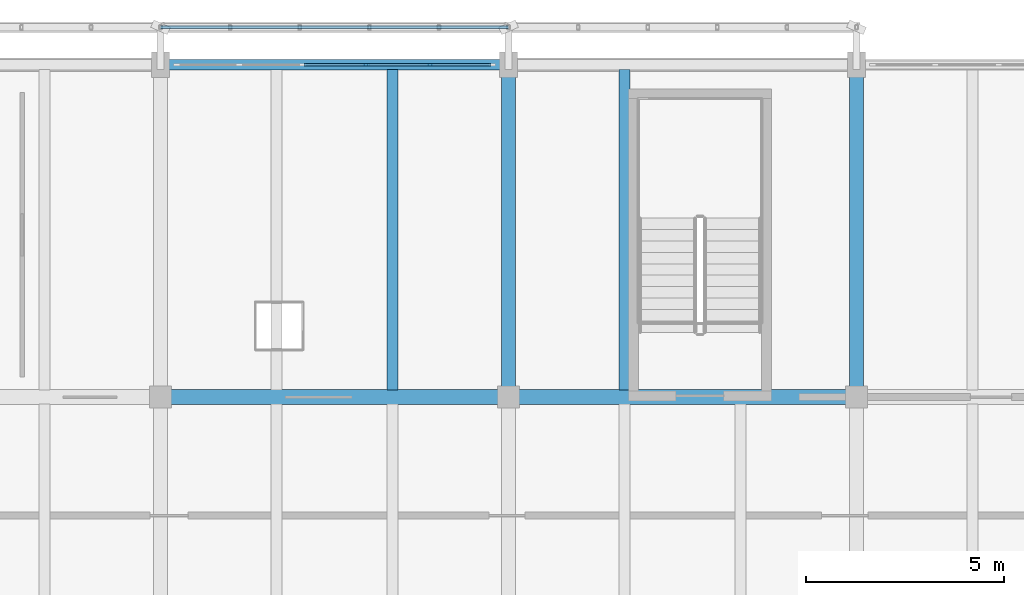
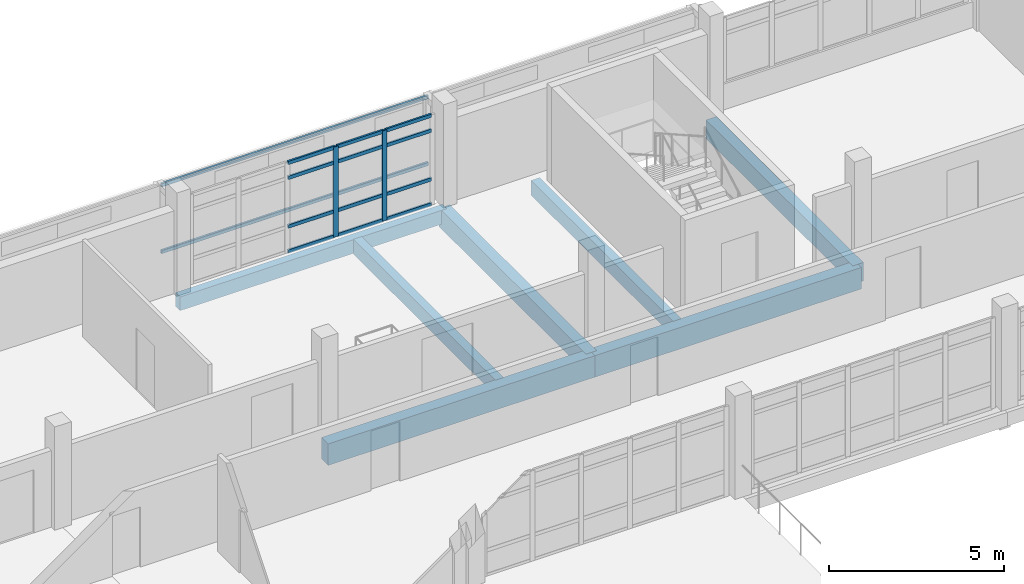
# One storey, part 17 of 30: 16 members, 7 beams, 1 element without a shape of its own.
"""IFC4 building model written with IfcOpenShell, lengths in metres."""

import ifcopenshell
import ifcopenshell.guid

model = None  # the IFC model being written
_history = None  # IfcOwnerHistory: only IFC2X3 demands one
_inside = {}  # id of a spatial element -> (the spatial element, [elements in it])
_under = {}  # id of a project, library or spatial element -> (it, [spatial elements below it])
_declared = {}  # id of a project -> (the project, [libraries it declares])
_typed = {}  # id of a type object -> (the type object, [elements of that type])
_made_of = {}  # id of a material, layer set ... -> (it, [elements and type objects made of it])


def new_model(schema):
    """Start an empty IFC model of exactly this schema.

    Asked for "IFC4X3", IfcOpenShell would pick the latest addendum, in which some entities
    have other attributes; the version numbers below select the first issue.
    IFC2X3 requires an IfcOwnerHistory on every rooted entity: one is made here for all.
    """
    global model, _history
    if schema == "IFC4X3":
        model = ifcopenshell.file(schema_version=(4, 3, 0, 0))
    else:
        model = ifcopenshell.file(schema=schema)
    _inside.clear()
    _under.clear()
    _declared.clear()
    _typed.clear()
    _made_of.clear()
    _history = None
    if model.schema == "IFC2X3":
        org = make("IfcOrganization", Name="unknown")
        user = make(
            "IfcPersonAndOrganization",
            ThePerson=make("IfcPerson", FamilyName="unknown"),
            TheOrganization=org,
        )
        app = make(
            "IfcApplication",
            ApplicationDeveloper=org,
            Version="unknown",
            ApplicationFullName="unknown",
            ApplicationIdentifier="unknown",
        )
        _history = make(
            "IfcOwnerHistory",
            OwningUser=user,
            OwningApplication=app,
            ChangeAction="ADDED",
            CreationDate=0,
        )
    return model


def make(cls, **values):
    """One entity of the class cls with the attributes given. An attribute that is None is left unset."""
    return model.create_entity(
        cls, **{name: value for name, value in values.items() if value is not None}
    )


def rooted(cls, **values):
    """An entity with a GlobalId (a new one), such as an element, a storey or a relation."""
    return make(cls, GlobalId=ifcopenshell.guid.new(), OwnerHistory=_history, **values)


def si_unit(unit_type, name, prefix=None):
    """IfcSIUnit, for example si_unit("LENGTHUNIT", "METRE", prefix="MILLI")."""
    return make("IfcSIUnit", UnitType=unit_type, Prefix=prefix, Name=name)


def assignment(units):
    """IfcUnitAssignment: the units of a project."""
    return None if units is None else make("IfcUnitAssignment", Units=units)


def point(xyz):
    """IfcCartesianPoint."""
    return None if xyz is None else make("IfcCartesianPoint", Coordinates=xyz)


def direction(xyz):
    """IfcDirection."""
    return None if xyz is None else make("IfcDirection", DirectionRatios=xyz)


def frame(location, z_axis=None, x_axis=None):
    """IfcAxis2Placement3D, a coordinate frame: its origin and axes. An axis left out is left unset."""
    return make(
        "IfcAxis2Placement3D",
        Location=point(location),
        Axis=direction(z_axis),
        RefDirection=direction(x_axis),
    )


def frame_2d(location, x_axis=None):
    """IfcAxis2Placement2D, a coordinate frame in the plane: its origin and x axis."""
    return make(
        "IfcAxis2Placement2D", Location=point(location), RefDirection=direction(x_axis)
    )


def origin():
    """The frame at (0, 0, 0) with its axes left unset."""
    return frame((0.0, 0.0, 0.0))


def origin_2d():
    """The frame at (0, 0) in the plane with its x axis left unset."""
    return frame_2d((0.0, 0.0))


def place(relative_to, where):
    """IfcLocalPlacement: puts the frame where relative to a parent placement (None: the world)."""
    return make(
        "IfcLocalPlacement", PlacementRelTo=relative_to, RelativePlacement=where
    )


def context(
    kind, dimensions, precision=None, world=None, true_north=None, identifier=None
):
    """IfcGeometricRepresentationContext, for example the 3D "Model" context."""
    return make(
        "IfcGeometricRepresentationContext",
        ContextIdentifier=identifier,
        ContextType=kind,
        CoordinateSpaceDimension=dimensions,
        Precision=precision,
        WorldCoordinateSystem=world,
        TrueNorth=true_north,
    )


def subcontext(parent, identifier, kind, view, scale=None):
    """IfcGeometricRepresentationSubContext, for example "Body" below "Model"."""
    return make(
        "IfcGeometricRepresentationSubContext",
        ContextIdentifier=identifier,
        ContextType=kind,
        ParentContext=parent,
        TargetScale=scale,
        TargetView=view,
    )


def project(units=None, contexts=None):
    """IfcProject with its units and contexts."""
    return rooted(
        "IfcProject",
        Name="project",
        RepresentationContexts=contexts,
        UnitsInContext=assignment(units),
    )


def spatial(cls, under=None, at=None, **own):
    """A site, building, storey or space (cls), placed at a placement, below another one or the project."""
    s = rooted(cls, ObjectPlacement=at, **own)
    if under is not None:
        _under.setdefault(under.id(), (under, []))[1].append(s)
    return s


def profile(cls, at=None, kind="AREA", **sizes):
    """A parametric profile (cls). Its sizes go by their IFC names, for example OverallWidth=200.0."""
    return make(cls, ProfileType=kind, Position=at, **sizes)


def rectangle(**sizes):
    """IfcRectangleProfileDef."""
    return profile("IfcRectangleProfileDef", **sizes)


def hollow_rectangle(**sizes):
    """IfcRectangleHollowProfileDef."""
    return profile("IfcRectangleHollowProfileDef", **sizes)


def extrude(swept, where, along, depth):
    """IfcExtrudedAreaSolid: the profile swept, set in the frame where, extruded along a direction by depth."""
    return make(
        "IfcExtrudedAreaSolid",
        SweptArea=swept,
        Position=where,
        ExtrudedDirection=direction(along),
        Depth=depth,
    )


def shape(context_of_items, identifier, shape_type, items):
    """IfcShapeRepresentation: the items that make up one representation, for example the "Body"."""
    return make(
        "IfcShapeRepresentation",
        ContextOfItems=context_of_items,
        RepresentationIdentifier=identifier,
        RepresentationType=shape_type,
        Items=items,
    )


def material(Name=None, Category=None):
    """IfcMaterial."""
    return make("IfcMaterial", Name=Name, Category=Category)


def material_profile(
    of_material, cross_section, Name=None, Category=None, Priority=None
):
    """IfcMaterialProfile: a cross section and its material."""
    return make(
        "IfcMaterialProfile",
        Name=Name,
        Material=of_material,
        Profile=cross_section,
        Priority=Priority,
        Category=Category,
    )


def profile_set(profiles, Name=None, composite=None):
    """IfcMaterialProfileSet."""
    return make(
        "IfcMaterialProfileSet",
        Name=Name,
        MaterialProfiles=profiles,
        CompositeProfile=composite,
    )


def made_of(thing, what):
    """Note that an element or type object is made of a material, layer set ...; save() writes the relation."""
    if what is not None:
        _made_of.setdefault(what.id(), (what, []))[1].append(thing)
    return thing


def type_object(cls, material=None, **own):
    """A type object (cls), such as IfcWallType, which elements share."""
    return made_of(rooted(cls, **own), material)


def element(
    cls,
    number,
    at=None,
    inside=None,
    cuts=None,
    type_object=None,
    material=None,
    context=None,
    identifier="Body",
    shape_type=None,
    held_by="IfcProductDefinitionShape",
    body=None,
    shapes=None,
    **own,
):
    """One element of the class cls, such as IfcWall. Its Tag is "e" and its number.

    at: its placement. inside: the storey or other place that contains it. cuts: it is an
    opening in that element (IfcRelVoidsElement). A single representation is given by context,
    identifier, shape_type and body (its items); several are given by shapes. held_by: the class
    of the entity that holds the representations. save() writes the other relations.
    """
    e = rooted(cls, Tag="e%d" % number, ObjectPlacement=at, **own)
    if body is not None:
        shapes = [shape(context, identifier, shape_type, body)]
    if shapes is not None:
        e.Representation = make(held_by, Representations=shapes)
    if inside is not None:
        _inside.setdefault(inside.id(), (inside, []))[1].append(e)
    if cuts is not None:
        rooted(
            "IfcRelVoidsElement", RelatingBuildingElement=cuts, RelatedOpeningElement=e
        )
    if type_object is not None:
        _typed.setdefault(type_object.id(), (type_object, []))[1].append(e)
    return made_of(e, material)


def aggregate(whole, parts):
    """IfcRelAggregates: a whole, such as a stair, and the parts it consists of."""
    return rooted("IfcRelAggregates", RelatingObject=whole, RelatedObjects=parts)


def save(model, path):
    """Write the relations noted so far, then the file.

    IfcRelAggregates (storeys below a building ...), IfcRelContainedInSpatialStructure (elements
    in a storey), IfcRelDefinesByType, IfcRelAssociatesMaterial and IfcRelDeclares: one each for
    every whole, place, type object, material and project.
    """
    for whole, parts in _under.values():
        aggregate(whole, parts)
    for where, things in _inside.values():
        rooted(
            "IfcRelContainedInSpatialStructure",
            RelatedElements=things,
            RelatingStructure=where,
        )
    for kind, things in _typed.values():
        rooted("IfcRelDefinesByType", RelatedObjects=things, RelatingType=kind)
    for what, things in _made_of.values():
        rooted("IfcRelAssociatesMaterial", RelatedObjects=things, RelatingMaterial=what)
    for by, libraries in _declared.values():
        rooted("IfcRelDeclares", RelatingContext=by, RelatedDefinitions=libraries)
    model.write(path)


model = new_model("IFC4")

# Units and contexts
model_context = context("Model", 3, precision=1e-05, world=origin(), true_north=direction((0.0, 1.0)))
body_context = subcontext(model_context, "Body", "Model", "MODEL_VIEW")
ifc_project = project(units=[si_unit("LENGTHUNIT", "METRE"), si_unit("AREAUNIT", "SQUARE_METRE"), si_unit("VOLUMEUNIT", "CUBIC_METRE"), si_unit("PLANEANGLEUNIT", "RADIAN"), si_unit("MASSUNIT", "GRAM", prefix="KILO")], contexts=[model_context])

# Site, building, storey
site_placement = place(None, origin())
site = spatial("IfcSite", under=ifc_project, at=site_placement, CompositionType="ELEMENT")
building_placement = place(site_placement, origin())
building = spatial("IfcBuilding", under=site, at=building_placement, Name="Cinderway Yard Community Centre", CompositionType="ELEMENT")
storey_placement = place(building_placement, frame((0.0, 0.0, 16.5)))
storey = spatial("IfcBuildingStorey", under=building, at=storey_placement, Name="L04", CompositionType="ELEMENT", Elevation=16.5)

# Curtain wall, members
ifc_material_1 = material(Name="Aluminium 6063-T6", Category="aluminium")
curtain_wall_type = type_object("IfcCurtainWallType", Name="ENV-CW-TYPE-33", PredefinedType="USERDEFINED", material=ifc_material_1)
curtain_wall_placement = place(storey_placement, origin())
curtain_wall = element("IfcCurtainWall", 1, at=curtain_wall_placement, inside=storey, type_object=curtain_wall_type, Name="V4 Street Curtain Wall ENV-CW-L04-ST-0183", ObjectType="GLAZED CURTAIN WALL", PredefinedType="USERDEFINED")
ifc_material_profile_1 = material_profile(ifc_material_1, rectangle(XDim=0.06005859375, YDim=0.159912109375, at=origin_2d()), Name="Aluminium 6063-T6")
ifc_profile_set_1 = profile_set([ifc_material_profile_1], Name="Aluminium 6063-T6")
member_type_1 = type_object("IfcMemberType", Name="ENV-CW-MULL-150", PredefinedType="MULLION", material=ifc_profile_set_1)
member_1_placement = place(storey_placement, frame((106.803955078125, 115.199951171875, 0.0), z_axis=(0.0, 0.0, 1.0), x_axis=(0.0, 1.0, 0.0)))
member_1 = element("IfcMember", 2, at=member_1_placement, type_object=member_type_1, Name="CW-33 mullion 4", PredefinedType="MULLION", context=body_context, shape_type="SweptSolid", body=[
    extrude(rectangle(XDim=0.06005859375, YDim=0.159912109375, at=origin_2d()), origin(), (0.0, 0.0, 1.0), 3.14990234375),
])
member_2_placement = place(storey_placement, frame((108.412109375, 115.199951171875, 0.0), z_axis=(0.0, 0.0, 1.0), x_axis=(0.0, 1.0, 0.0)))
member_2 = element("IfcMember", 3, at=member_2_placement, type_object=member_type_1, Name="CW-33 mullion 5", PredefinedType="MULLION", context=body_context, shape_type="SweptSolid", body=[
    extrude(rectangle(XDim=0.06005859375, YDim=0.159912109375, at=origin_2d()), origin(), (0.0, 0.0, 1.0), 3.14990234375),
])
ifc_material_profile_2 = material_profile(ifc_material_1, rectangle(XDim=0.06005859375, YDim=0.1201171875, at=origin_2d()), Name="Aluminium 6063-T6")
ifc_profile_set_2 = profile_set([ifc_material_profile_2], Name="Aluminium 6063-T6")
member_type_2 = type_object("IfcMemberType", Name="ENV-CW-TRAN-110", PredefinedType="USERDEFINED", material=ifc_profile_set_2)
member_3_placement = place(storey_placement, frame((105.22607421875, 115.199951171875, 0.030029296875), z_axis=(1.0, 0.0, 0.0), x_axis=(0.0, 1.0, 0.0)))
member_3 = element("IfcMember", 4, at=member_3_placement, type_object=member_type_2, Name="CW-33 transom 3.1", ObjectType="TRANSOM", PredefinedType="USERDEFINED", context=body_context, shape_type="SweptSolid", body=[
    extrude(rectangle(XDim=0.06005859375, YDim=0.1201171875, at=origin_2d()), origin(), (0.0, 0.0, 1.0), 1.5478515625),
])
member_4_placement = place(storey_placement, frame((105.22607421875, 115.199951171875, 0.89990234375), z_axis=(1.0, 0.0, 0.0), x_axis=(0.0, 1.0, 0.0)))
member_4 = element("IfcMember", 5, at=member_4_placement, type_object=member_type_2, Name="CW-33 transom 3.2", ObjectType="TRANSOM", PredefinedType="USERDEFINED", context=body_context, shape_type="SweptSolid", body=[
    extrude(rectangle(XDim=0.06005859375, YDim=0.1201171875, at=origin_2d()), origin(), (0.0, 0.0, 1.0), 1.5478515625),
])
member_5_placement = place(storey_placement, frame((105.22607421875, 115.199951171875, 2.60009765625), z_axis=(1.0, 0.0, 0.0), x_axis=(0.0, 1.0, 0.0)))
member_5 = element("IfcMember", 6, at=member_5_placement, type_object=member_type_2, Name="CW-33 transom 3.3", ObjectType="TRANSOM", PredefinedType="USERDEFINED", context=body_context, shape_type="SweptSolid", body=[
    extrude(rectangle(XDim=0.06005859375, YDim=0.1201171875, at=origin_2d()), origin(), (0.0, 0.0, 1.0), 1.5478515625),
])
member_6_placement = place(storey_placement, frame((105.22607421875, 115.199951171875, 3.1201171875), z_axis=(1.0, 0.0, 0.0), x_axis=(0.0, 1.0, 0.0)))
member_6 = element("IfcMember", 7, at=member_6_placement, type_object=member_type_2, Name="CW-33 transom 3.4", ObjectType="TRANSOM", PredefinedType="USERDEFINED", context=body_context, shape_type="SweptSolid", body=[
    extrude(rectangle(XDim=0.06005859375, YDim=0.1201171875, at=origin_2d()), origin(), (0.0, 0.0, 1.0), 1.5478515625),
])
member_7_placement = place(storey_placement, frame((106.833984375, 115.199951171875, 0.030029296875), z_axis=(1.0, 0.0, 0.0), x_axis=(0.0, 1.0, 0.0)))
member_7 = element("IfcMember", 8, at=member_7_placement, type_object=member_type_2, Name="CW-33 transom 4.1", ObjectType="TRANSOM", PredefinedType="USERDEFINED", context=body_context, shape_type="SweptSolid", body=[
    extrude(rectangle(XDim=0.06005859375, YDim=0.1201171875, at=origin_2d()), origin(), (0.0, 0.0, 1.0), 1.548095703125),
])
member_8_placement = place(storey_placement, frame((106.833984375, 115.199951171875, 0.89990234375), z_axis=(1.0, 0.0, 0.0), x_axis=(0.0, 1.0, 0.0)))
member_8 = element("IfcMember", 9, at=member_8_placement, type_object=member_type_2, Name="CW-33 transom 4.2", ObjectType="TRANSOM", PredefinedType="USERDEFINED", context=body_context, shape_type="SweptSolid", body=[
    extrude(rectangle(XDim=0.06005859375, YDim=0.1201171875, at=origin_2d()), origin(), (0.0, 0.0, 1.0), 1.548095703125),
])
member_9_placement = place(storey_placement, frame((106.833984375, 115.199951171875, 2.60009765625), z_axis=(1.0, 0.0, 0.0), x_axis=(0.0, 1.0, 0.0)))
member_9 = element("IfcMember", 10, at=member_9_placement, type_object=member_type_2, Name="CW-33 transom 4.3", ObjectType="TRANSOM", PredefinedType="USERDEFINED", context=body_context, shape_type="SweptSolid", body=[
    extrude(rectangle(XDim=0.06005859375, YDim=0.1201171875, at=origin_2d()), origin(), (0.0, 0.0, 1.0), 1.548095703125),
])
member_10_placement = place(storey_placement, frame((106.833984375, 115.199951171875, 3.1201171875), z_axis=(1.0, 0.0, 0.0), x_axis=(0.0, 1.0, 0.0)))
member_10 = element("IfcMember", 11, at=member_10_placement, type_object=member_type_2, Name="CW-33 transom 4.4", ObjectType="TRANSOM", PredefinedType="USERDEFINED", context=body_context, shape_type="SweptSolid", body=[
    extrude(rectangle(XDim=0.06005859375, YDim=0.1201171875, at=origin_2d()), origin(), (0.0, 0.0, 1.0), 1.548095703125),
])
member_11_placement = place(storey_placement, frame((108.44189453125, 115.199951171875, 0.030029296875), z_axis=(1.0, 0.0, 0.0), x_axis=(0.0, 1.0, 0.0)))
member_11 = element("IfcMember", 12, at=member_11_placement, type_object=member_type_2, Name="CW-33 transom 5.1", ObjectType="TRANSOM", PredefinedType="USERDEFINED", context=body_context, shape_type="SweptSolid", body=[
    extrude(rectangle(XDim=0.06005859375, YDim=0.1201171875, at=origin_2d()), origin(), (0.0, 0.0, 1.0), 1.51806640625),
])
member_12_placement = place(storey_placement, frame((108.44189453125, 115.199951171875, 0.89990234375), z_axis=(1.0, 0.0, 0.0), x_axis=(0.0, 1.0, 0.0)))
member_12 = element("IfcMember", 13, at=member_12_placement, type_object=member_type_2, Name="CW-33 transom 5.2", ObjectType="TRANSOM", PredefinedType="USERDEFINED", context=body_context, shape_type="SweptSolid", body=[
    extrude(rectangle(XDim=0.06005859375, YDim=0.1201171875, at=origin_2d()), origin(), (0.0, 0.0, 1.0), 1.51806640625),
])
member_13_placement = place(storey_placement, frame((108.44189453125, 115.199951171875, 2.60009765625), z_axis=(1.0, 0.0, 0.0), x_axis=(0.0, 1.0, 0.0)))
member_13 = element("IfcMember", 14, at=member_13_placement, type_object=member_type_2, Name="CW-33 transom 5.3", ObjectType="TRANSOM", PredefinedType="USERDEFINED", context=body_context, shape_type="SweptSolid", body=[
    extrude(rectangle(XDim=0.06005859375, YDim=0.1201171875, at=origin_2d()), origin(), (0.0, 0.0, 1.0), 1.51806640625),
])
member_14_placement = place(storey_placement, frame((108.44189453125, 115.199951171875, 3.1201171875), z_axis=(1.0, 0.0, 0.0), x_axis=(0.0, 1.0, 0.0)))
member_14 = element("IfcMember", 15, at=member_14_placement, type_object=member_type_2, Name="CW-33 transom 5.4", ObjectType="TRANSOM", PredefinedType="USERDEFINED", context=body_context, shape_type="SweptSolid", body=[
    extrude(rectangle(XDim=0.06005859375, YDim=0.1201171875, at=origin_2d()), origin(), (0.0, 0.0, 1.0), 1.51806640625),
])
aggregate(curtain_wall, [member_1, member_2, member_3, member_4, member_5, member_6, member_7, member_8, member_9, member_10, member_11, member_12, member_13, member_14])

# Members
ifc_material_2 = material(Name="Steel S355", Category="steel")
ifc_material_profile_3 = material_profile(ifc_material_2, hollow_rectangle(XDim=0.080078125, YDim=0.1201171875, WallThickness=0.00634765625, InnerFilletRadius=0.00634765625, OuterFilletRadius=0.0126953125, at=origin_2d()), Name="Steel S355")
ifc_profile_set_3 = profile_set([ifc_material_profile_3], Name="Steel S355")
member_type_3 = type_object("IfcMemberType", Name="ENV-MEM-SCREEN-RAIL-120", PredefinedType="STRINGER", material=ifc_profile_set_3)
for number, where, z_axis, x_axis, name in (
    (16, (101.60009765625, 116.14990234375, 0.7099609375), (1.0, 0.0, 0.0), (0.0, 1.0, 0.0), "Screen support rail 0301-BOT"),
    (17, (101.60009765625, 116.14990234375, 3.0400390625), (1.0, 0.0, 0.0), (0.0, 1.0, 0.0), "Screen support rail 0302-TOP"),
):
    element("IfcMember", number, at=place(storey_placement, frame(where, z_axis=z_axis, x_axis=x_axis)), inside=storey, type_object=member_type_3, Name=name, PredefinedType="STRINGER", context=body_context, shape_type="SweptSolid", body=[
        extrude(hollow_rectangle(XDim=0.080078125, YDim=0.1201171875, WallThickness=0.00634765625, InnerFilletRadius=0.00634765625, OuterFilletRadius=0.0126953125, at=origin_2d()), origin(), (0.0, 0.0, 1.0), 8.7998046875),
    ])

# Beams
ifc_material_3 = material(Name="Concrete C40/50", Category="concrete")
ifc_material_profile_4 = material_profile(ifc_material_3, rectangle(XDim=0.260009765625, YDim=0.47998046875, at=origin_2d()), Name="Concrete C40/50")
ifc_profile_set_4 = profile_set([ifc_material_profile_4], Name="Concrete C40/50")
beam_type_1 = type_object("IfcBeamType", Name="STR-BM-RC260X480", PredefinedType="SPANDREL", material=ifc_profile_set_4)
beam_1_placement = place(storey_placement, frame((101.60009765625, 115.199951171875, -0.4599609375), z_axis=(1.0, 0.0, 0.0), x_axis=(0.0, 1.0, 0.0)))
element("IfcBeam", 18, at=beam_1_placement, inside=storey, type_object=beam_type_1, Name="Primary girder STR-BM-L04-SP01-0839", PredefinedType="SPANDREL", context=body_context, shape_type="SweptSolid", body=[
    extrude(rectangle(XDim=0.260009765625, YDim=0.47998046875, at=origin_2d()), origin(), (0.0, 0.0, 1.0), 8.7998046875),
])
ifc_material_4 = material(Name="Concrete C35/45", Category="concrete")
ifc_material_profile_5 = material_profile(ifc_material_4, rectangle(XDim=0.280029296875, YDim=0.52001953125, at=origin_2d()), Name="Concrete C35/45")
ifc_profile_set_5 = profile_set([ifc_material_profile_5], Name="Concrete C35/45")
beam_type_2 = type_object("IfcBeamType", Name="STR-BM-RC280X520", PredefinedType="JOIST", material=ifc_profile_set_5)
for number, where, z_axis, x_axis, name in (
    (19, (107.467041015625, 106.971923828125, -0.47998046875), (0.0, 1.0, 0.0), (-1.0, 0.0, 0.0), "Secondary joist STR-BM-L04-BJ04-0894"),
    (20, (113.3330078125, 106.971923828125, -0.47998046875), (0.0, 1.0, 0.0), (-1.0, 0.0, 0.0), "Secondary joist STR-BM-L04-BJ04-0897"),
):
    element("IfcBeam", number, at=place(storey_placement, frame(where, z_axis=z_axis, x_axis=x_axis)), inside=storey, type_object=beam_type_2, Name=name, PredefinedType="JOIST", context=body_context, shape_type="SweptSolid", body=[
        extrude(rectangle(XDim=0.280029296875, YDim=0.52001953125, at=origin_2d()), origin(), (0.0, 0.0, 1.0), 8.115966796875),
    ])
ifc_material_profile_6 = material_profile(ifc_material_4, rectangle(XDim=0.35009765625, YDim=0.64990234375, at=origin_2d()), Name="Concrete C35/45")
ifc_profile_set_6 = profile_set([ifc_material_profile_6], Name="Concrete C35/45")
beam_type_3 = type_object("IfcBeamType", Name="STR-BM-RC350X650", PredefinedType="BEAM", material=ifc_profile_set_6)
for number, where, z_axis, x_axis, name in (
    (21, (110.39990234375, 106.800048828125, -0.544921875), (0.0, 1.0, 0.0), (-1.0, 0.0, 0.0), "Transverse girder STR-BM-L04-BG08-0860"),
    (22, (119.199951171875, 106.800048828125, -0.544921875), (0.0, 1.0, 0.0), (-1.0, 0.0, 0.0), "Transverse girder STR-BM-L04-BG08-0862"),
):
    element("IfcBeam", number, at=place(storey_placement, frame(where, z_axis=z_axis, x_axis=x_axis)), inside=storey, type_object=beam_type_3, Name=name, PredefinedType="BEAM", context=body_context, shape_type="SweptSolid", body=[
        extrude(rectangle(XDim=0.35009765625, YDim=0.64990234375, at=origin_2d()), origin(), (0.0, 0.0, 1.0), 8.39990234375),
    ])
ifc_material_profile_7 = material_profile(ifc_material_4, rectangle(XDim=0.3798828125, YDim=0.75, at=origin_2d()), Name="Concrete C35/45")
ifc_profile_set_7 = profile_set([ifc_material_profile_7], Name="Concrete C35/45")
beam_type_4 = type_object("IfcBeamType", Name="STR-BM-RC380X750", PredefinedType="BEAM", material=ifc_profile_set_7)
beam_2_placement = place(storey_placement, frame((101.60009765625, 106.800048828125, -0.594970703125), z_axis=(1.0, 0.0, 0.0), x_axis=(0.0, 1.0, 0.0)))
element("IfcBeam", 23, at=beam_2_placement, inside=storey, type_object=beam_type_4, Name="Primary girder STR-BM-L04-BG06-0828", PredefinedType="BEAM", context=body_context, shape_type="SweptSolid", body=[
    extrude(rectangle(XDim=0.3798828125, YDim=0.75, at=origin_2d()), origin(), (0.0, 0.0, 1.0), 8.7998046875),
])
beam_3_placement = place(storey_placement, frame((110.39990234375, 106.800048828125, -0.594970703125), z_axis=(1.0, 0.0, 0.0), x_axis=(0.0, 1.0, 0.0)))
element("IfcBeam", 24, at=beam_3_placement, inside=storey, type_object=beam_type_4, Name="Primary girder STR-BM-L04-BG06-0829", PredefinedType="BEAM", context=body_context, shape_type="SweptSolid", body=[
    extrude(rectangle(XDim=0.3798828125, YDim=0.75, at=origin_2d()), origin(), (0.0, 0.0, 1.0), 8.800048828125),
])

save(model, "model.ifc")
